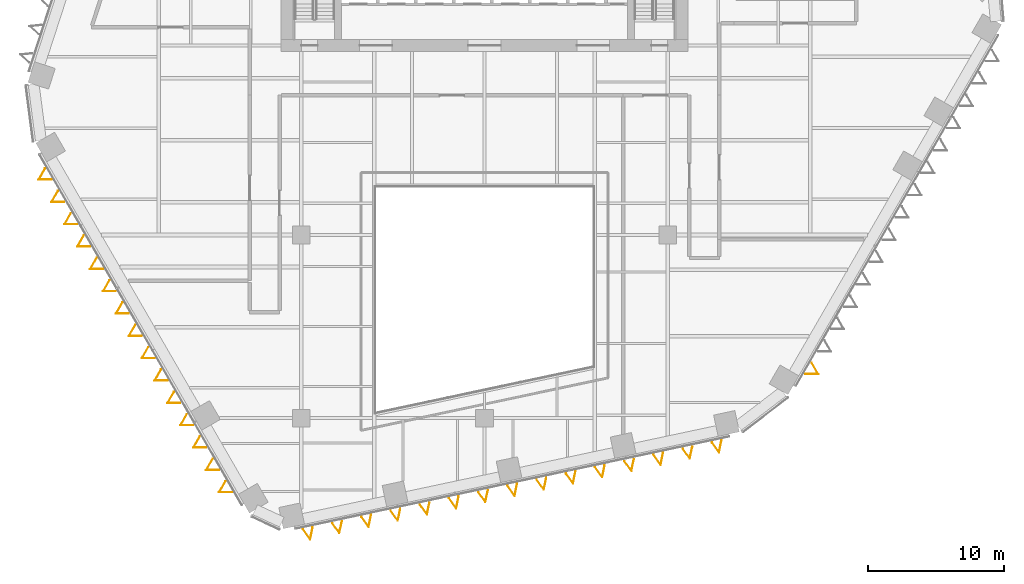
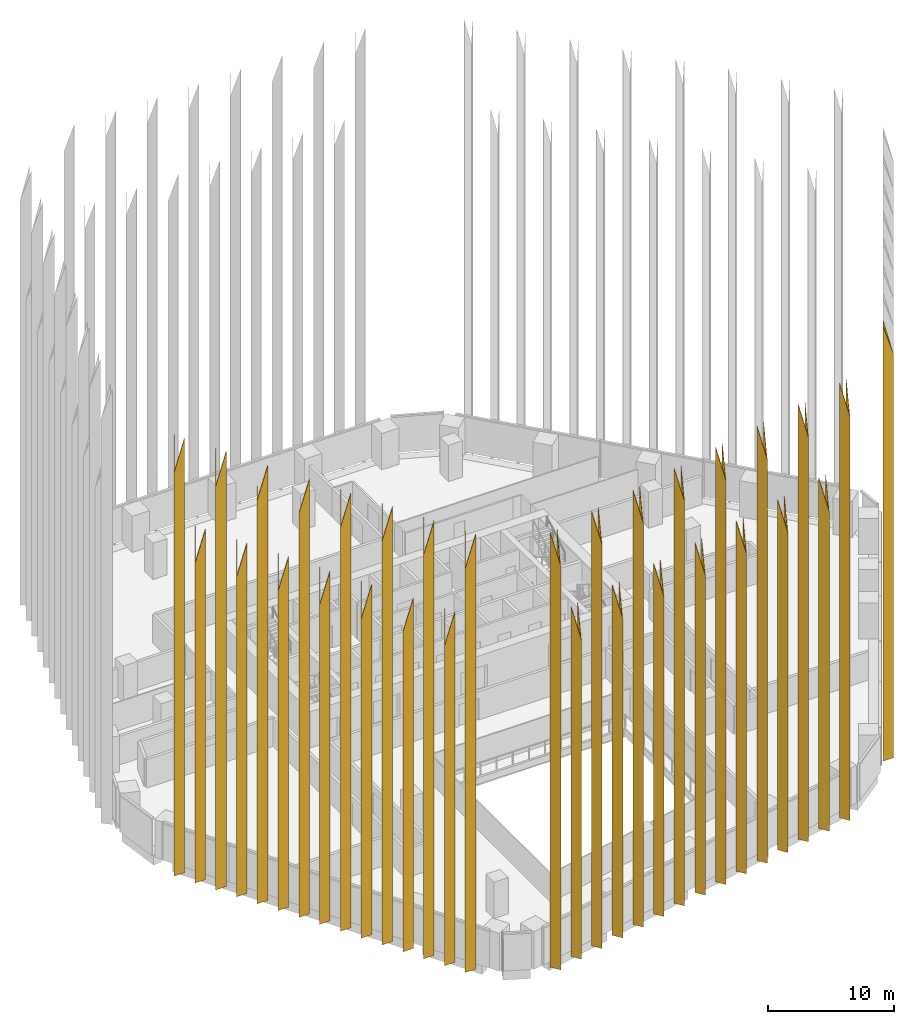
# One storey, part 21 of 24: 31 coverings.
"""IFC4 building model written with IfcOpenShell, lengths in metres."""

from ifc_helpers import new_model, si_unit, direction, frame, origin, place, context, subcontext, project, spatial, polyline, outline, faceted_brep, material, material_profile, profile_set, type_object, element, save


model = new_model("IFC4")

# Units and contexts
model_context = context("Model", 3, precision=1e-05, world=origin(), true_north=direction((0.0, 1.0)))
body_context = subcontext(model_context, "Body", "Model", "MODEL_VIEW")
ifc_project = project(units=[si_unit("LENGTHUNIT", "METRE"), si_unit("AREAUNIT", "SQUARE_METRE"), si_unit("VOLUMEUNIT", "CUBIC_METRE"), si_unit("PLANEANGLEUNIT", "RADIAN"), si_unit("MASSUNIT", "GRAM", prefix="KILO")], contexts=[model_context])

# Site, building, storey
site_placement = place(None, origin())
site = spatial("IfcSite", under=ifc_project, at=site_placement, CompositionType="ELEMENT")
building_placement = place(site_placement, origin())
building = spatial("IfcBuilding", under=site, at=building_placement, Name="Isthmus Gate Tower", CompositionType="ELEMENT")
storey_placement = place(building_placement, frame((0.0, 0.0, 80.64990234375)))
storey = spatial("IfcBuildingStorey", under=building, at=storey_placement, Name="L18", CompositionType="ELEMENT", Elevation=80.64990234375)

# Coverings
ifc_material_1 = material(Name="Structural steel ASTM A572 Gr 50, white paint system", Category="steel")
ifc_material_profile_1 = material_profile(ifc_material_1, outline(polyline([(0.0, -0.3740234375), (0.840087890625, 0.0), (0.0, 0.3740234375), (0.0, 0.341064453125), (0.766357421875, 0.0), (0.0, -0.341064453125), (0.0, -0.3740234375)])), Name="V840")
ifc_profile_set_1 = profile_set([ifc_material_profile_1], Name="Structural steel ASTM A572 Gr 50, white paint system")
covering_type_1 = type_object("IfcCoveringType", Name="FIN V 840 DEEP", PredefinedType="CLADDING", material=ifc_profile_set_1)
covering_1_placement = place(storey_placement, frame((0.0, 0.0, -80.64990234375)))
element("IfcCovering", 1, at=covering_1_placement, inside=storey, type_object=covering_type_1, Name="FIN", ObjectType="FIN", PredefinedType="CLADDING", context=body_context, shape_type="Brep", body=[
    faceted_brep([(-13.3466796875, -35.19482421875, 80.25), (-12.853515625, -35.873291015625, 80.25), (-12.67919921875, -35.052734375, 80.25), (-12.647216796875, -35.046142578125, 80.25), (-12.83837890625, -35.9453125, 80.25), (-13.378662109375, -35.201416015625, 80.25), (-13.378662109375, -35.201416015625, 122.25), (-12.83837890625, -35.9453125, 119.25), (-12.647216796875, -35.046142578125, 122.25), (-12.67919921875, -35.052734375, 122.25), (-12.853515625, -35.873291015625, 119.513427734375), (-13.3466796875, -35.19482421875, 122.25)], [[[0, 1, 2, 3, 4, 5]], [[6, 7, 8, 9, 10, 11]], [[5, 4, 7, 6]], [[4, 3, 8, 7]], [[3, 2, 9, 8]], [[2, 1, 10, 9]], [[1, 0, 11, 10]], [[0, 5, 6, 11]]]),
])
covering_2_placement = place(storey_placement, frame((0.0, 0.0, -80.64990234375)))
element("IfcCovering", 2, at=covering_2_placement, inside=storey, type_object=covering_type_1, Name="FIN", ObjectType="FIN", PredefinedType="CLADDING", context=body_context, shape_type="Brep", body=[
    faceted_brep([(-11.19482421875, -34.737548828125, 80.25), (-10.70166015625, -35.416015625, 80.25), (-10.52734375, -34.595458984375, 80.25), (-10.495361328125, -34.5888671875, 80.25), (-10.6865234375, -35.488037109375, 80.25), (-11.226806640625, -34.744140625, 80.25), (-11.226806640625, -34.744140625, 114.10009765625), (-10.6865234375, -35.488037109375, 111.10009765625), (-10.495361328125, -34.5888671875, 114.10009765625), (-10.52734375, -34.595458984375, 114.10009765625), (-10.70166015625, -35.416015625, 111.363525390625), (-11.19482421875, -34.737548828125, 114.10009765625)], [[[0, 1, 2, 3, 4, 5]], [[6, 7, 8, 9, 10, 11]], [[5, 4, 7, 6]], [[4, 3, 8, 7]], [[3, 2, 9, 8]], [[2, 1, 10, 9]], [[1, 0, 11, 10]], [[0, 5, 6, 11]]]),
])
covering_3_placement = place(storey_placement, frame((0.0, 0.0, -80.64990234375)))
element("IfcCovering", 3, at=covering_3_placement, inside=storey, type_object=covering_type_1, Name="FIN", ObjectType="FIN", PredefinedType="CLADDING", context=body_context, shape_type="Brep", body=[
    faceted_brep([(-9.04296875, -34.280029296875, 80.25), (-8.5498046875, -34.95849609375, 80.25), (-8.37548828125, -34.137939453125, 80.25), (-8.343505859375, -34.13134765625, 80.25), (-8.53466796875, -35.030517578125, 80.25), (-9.074951171875, -34.28662109375, 80.25), (-9.074951171875, -34.28662109375, 122.25), (-8.53466796875, -35.030517578125, 119.25), (-8.343505859375, -34.13134765625, 122.25), (-8.37548828125, -34.137939453125, 122.25), (-8.5498046875, -34.95849609375, 119.513427734375), (-9.04296875, -34.280029296875, 122.25)], [[[0, 1, 2, 3, 4, 5]], [[6, 7, 8, 9, 10, 11]], [[5, 4, 7, 6]], [[4, 3, 8, 7]], [[3, 2, 9, 8]], [[2, 1, 10, 9]], [[1, 0, 11, 10]], [[0, 5, 6, 11]]]),
])
covering_4_placement = place(storey_placement, frame((0.0, 0.0, -80.64990234375)))
element("IfcCovering", 4, at=covering_4_placement, inside=storey, type_object=covering_type_1, Name="FIN", ObjectType="FIN", PredefinedType="CLADDING", context=body_context, shape_type="Brep", body=[
    faceted_brep([(-6.890869140625, -33.82275390625, 80.25), (-6.397705078125, -34.501220703125, 80.25), (-6.223388671875, -33.6806640625, 80.25), (-6.19140625, -33.674072265625, 80.25), (-6.382568359375, -34.5732421875, 80.25), (-6.9228515625, -33.829345703125, 80.25), (-6.9228515625, -33.829345703125, 114.10009765625), (-6.382568359375, -34.5732421875, 111.10009765625), (-6.19140625, -33.674072265625, 114.10009765625), (-6.223388671875, -33.6806640625, 114.10009765625), (-6.397705078125, -34.501220703125, 111.363525390625), (-6.890869140625, -33.82275390625, 114.10009765625)], [[[0, 1, 2, 3, 4, 5]], [[6, 7, 8, 9, 10, 11]], [[5, 4, 7, 6]], [[4, 3, 8, 7]], [[3, 2, 9, 8]], [[2, 1, 10, 9]], [[1, 0, 11, 10]], [[0, 5, 6, 11]]]),
])
covering_5_placement = place(storey_placement, frame((0.0, 0.0, -80.64990234375)))
element("IfcCovering", 5, at=covering_5_placement, inside=storey, type_object=covering_type_1, Name="FIN", ObjectType="FIN", PredefinedType="CLADDING", context=body_context, shape_type="Brep", body=[
    faceted_brep([(-4.739013671875, -33.365234375, 80.25), (-4.245849609375, -34.043701171875, 80.25), (-4.071533203125, -33.22314453125, 80.25), (-4.03955078125, -33.216552734375, 80.25), (-4.230712890625, -34.11572265625, 80.25), (-4.77099609375, -33.371826171875, 80.25), (-4.77099609375, -33.371826171875, 122.25), (-4.230712890625, -34.11572265625, 119.25), (-4.03955078125, -33.216552734375, 122.25), (-4.071533203125, -33.22314453125, 122.25), (-4.245849609375, -34.043701171875, 119.513427734375), (-4.739013671875, -33.365234375, 122.25)], [[[0, 1, 2, 3, 4, 5]], [[6, 7, 8, 9, 10, 11]], [[5, 4, 7, 6]], [[4, 3, 8, 7]], [[3, 2, 9, 8]], [[2, 1, 10, 9]], [[1, 0, 11, 10]], [[0, 5, 6, 11]]]),
])
covering_6_placement = place(storey_placement, frame((0.0, 0.0, -80.64990234375)))
element("IfcCovering", 6, at=covering_6_placement, inside=storey, type_object=covering_type_1, Name="FIN", ObjectType="FIN", PredefinedType="CLADDING", context=body_context, shape_type="Brep", body=[
    faceted_brep([(-2.587158203125, -32.90771484375, 80.25), (-2.093994140625, -33.586181640625, 80.25), (-1.919677734375, -32.765625, 80.25), (-1.8876953125, -32.759033203125, 80.25), (-2.078857421875, -33.658203125, 80.25), (-2.619140625, -32.914306640625, 80.25), (-2.619140625, -32.914306640625, 114.10009765625), (-2.078857421875, -33.658203125, 111.10009765625), (-1.8876953125, -32.759033203125, 114.10009765625), (-1.919677734375, -32.765625, 114.10009765625), (-2.093994140625, -33.586181640625, 111.363525390625), (-2.587158203125, -32.90771484375, 114.10009765625)], [[[0, 1, 2, 3, 4, 5]], [[6, 7, 8, 9, 10, 11]], [[5, 4, 7, 6]], [[4, 3, 8, 7]], [[3, 2, 9, 8]], [[2, 1, 10, 9]], [[1, 0, 11, 10]], [[0, 5, 6, 11]]]),
])
covering_7_placement = place(storey_placement, frame((0.0, 0.0, -80.64990234375)))
element("IfcCovering", 7, at=covering_7_placement, inside=storey, type_object=covering_type_1, Name="FIN", ObjectType="FIN", PredefinedType="CLADDING", context=body_context, shape_type="Brep", body=[
    faceted_brep([(-0.43505859375, -32.450439453125, 80.25), (0.05810546875, -33.12890625, 80.25), (0.232421875, -32.308349609375, 80.25), (0.264404296875, -32.3017578125, 80.25), (0.0732421875, -33.200927734375, 80.25), (-0.467041015625, -32.45703125, 80.25), (-0.467041015625, -32.45703125, 122.25), (0.0732421875, -33.200927734375, 119.25), (0.264404296875, -32.3017578125, 122.25), (0.232421875, -32.308349609375, 122.25), (0.05810546875, -33.12890625, 119.513427734375), (-0.43505859375, -32.450439453125, 122.25)], [[[0, 1, 2, 3, 4, 5]], [[6, 7, 8, 9, 10, 11]], [[5, 4, 7, 6]], [[4, 3, 8, 7]], [[3, 2, 9, 8]], [[2, 1, 10, 9]], [[1, 0, 11, 10]], [[0, 5, 6, 11]]]),
])
covering_8_placement = place(storey_placement, frame((0.0, 0.0, -80.64990234375)))
element("IfcCovering", 8, at=covering_8_placement, inside=storey, type_object=covering_type_1, Name="FIN", ObjectType="FIN", PredefinedType="CLADDING", context=body_context, shape_type="Brep", body=[
    faceted_brep([(1.716796875, -31.992919921875, 80.25), (2.2099609375, -32.67138671875, 80.25), (2.38427734375, -31.850830078125, 80.25), (2.416259765625, -31.84423828125, 80.25), (2.22509765625, -32.743408203125, 80.25), (1.684814453125, -31.99951171875, 80.25), (1.684814453125, -31.99951171875, 114.10009765625), (2.22509765625, -32.743408203125, 111.10009765625), (2.416259765625, -31.84423828125, 114.10009765625), (2.38427734375, -31.850830078125, 114.10009765625), (2.2099609375, -32.67138671875, 111.363525390625), (1.716796875, -31.992919921875, 114.10009765625)], [[[0, 1, 2, 3, 4, 5]], [[6, 7, 8, 9, 10, 11]], [[5, 4, 7, 6]], [[4, 3, 8, 7]], [[3, 2, 9, 8]], [[2, 1, 10, 9]], [[1, 0, 11, 10]], [[0, 5, 6, 11]]]),
])
covering_9_placement = place(storey_placement, frame((0.0, 0.0, -80.64990234375)))
element("IfcCovering", 9, at=covering_9_placement, inside=storey, type_object=covering_type_1, Name="FIN", ObjectType="FIN", PredefinedType="CLADDING", context=body_context, shape_type="Brep", body=[
    faceted_brep([(3.86865234375, -31.53564453125, 80.25), (4.36181640625, -32.214111328125, 80.25), (4.5361328125, -31.3935546875, 80.25), (4.568115234375, -31.386962890625, 80.25), (4.376953125, -32.2861328125, 80.25), (3.836669921875, -31.542236328125, 80.25), (3.836669921875, -31.542236328125, 122.25), (4.376953125, -32.2861328125, 119.25), (4.568115234375, -31.386962890625, 122.25), (4.5361328125, -31.3935546875, 122.25), (4.36181640625, -32.214111328125, 119.513427734375), (3.86865234375, -31.53564453125, 122.25)], [[[0, 1, 2, 3, 4, 5]], [[6, 7, 8, 9, 10, 11]], [[5, 4, 7, 6]], [[4, 3, 8, 7]], [[3, 2, 9, 8]], [[2, 1, 10, 9]], [[1, 0, 11, 10]], [[0, 5, 6, 11]]]),
])
covering_10_placement = place(storey_placement, frame((0.0, 0.0, -80.64990234375)))
element("IfcCovering", 10, at=covering_10_placement, inside=storey, type_object=covering_type_1, Name="FIN", ObjectType="FIN", PredefinedType="CLADDING", context=body_context, shape_type="Brep", body=[
    faceted_brep([(6.0205078125, -31.078125, 80.25), (6.513671875, -31.756591796875, 80.25), (6.68798828125, -30.93603515625, 80.25), (6.719970703125, -30.929443359375, 80.25), (6.52880859375, -31.82861328125, 80.25), (5.988525390625, -31.084716796875, 80.25), (5.988525390625, -31.084716796875, 114.10009765625), (6.52880859375, -31.82861328125, 111.10009765625), (6.719970703125, -30.929443359375, 114.10009765625), (6.68798828125, -30.93603515625, 114.10009765625), (6.513671875, -31.756591796875, 111.363525390625), (6.0205078125, -31.078125, 114.10009765625)], [[[0, 1, 2, 3, 4, 5]], [[6, 7, 8, 9, 10, 11]], [[5, 4, 7, 6]], [[4, 3, 8, 7]], [[3, 2, 9, 8]], [[2, 1, 10, 9]], [[1, 0, 11, 10]], [[0, 5, 6, 11]]]),
])
covering_11_placement = place(storey_placement, frame((0.0, 0.0, -80.64990234375)))
element("IfcCovering", 11, at=covering_11_placement, inside=storey, type_object=covering_type_1, Name="FIN", ObjectType="FIN", PredefinedType="CLADDING", context=body_context, shape_type="Brep", body=[
    faceted_brep([(8.172607421875, -30.620849609375, 80.25), (8.665771484375, -31.29931640625, 80.25), (8.840087890625, -30.478759765625, 80.25), (8.8720703125, -30.47216796875, 80.25), (8.680908203125, -31.371337890625, 80.25), (8.140625, -30.62744140625, 80.25), (8.140625, -30.62744140625, 122.25), (8.680908203125, -31.371337890625, 119.25), (8.8720703125, -30.47216796875, 122.25), (8.840087890625, -30.478759765625, 122.25), (8.665771484375, -31.29931640625, 119.513427734375), (8.172607421875, -30.620849609375, 122.25)], [[[0, 1, 2, 3, 4, 5]], [[6, 7, 8, 9, 10, 11]], [[5, 4, 7, 6]], [[4, 3, 8, 7]], [[3, 2, 9, 8]], [[2, 1, 10, 9]], [[1, 0, 11, 10]], [[0, 5, 6, 11]]]),
])
covering_12_placement = place(storey_placement, frame((0.0, 0.0, -80.64990234375)))
element("IfcCovering", 12, at=covering_12_placement, inside=storey, type_object=covering_type_1, Name="FIN", ObjectType="FIN", PredefinedType="CLADDING", context=body_context, shape_type="Brep", body=[
    faceted_brep([(10.324462890625, -30.163330078125, 80.25), (10.817626953125, -30.841796875, 80.25), (10.991943359375, -30.021240234375, 80.25), (11.02392578125, -30.0146484375, 80.25), (10.832763671875, -30.913818359375, 80.25), (10.29248046875, -30.169921875, 80.25), (10.29248046875, -30.169921875, 114.10009765625), (10.832763671875, -30.913818359375, 111.10009765625), (11.02392578125, -30.0146484375, 114.10009765625), (10.991943359375, -30.021240234375, 114.10009765625), (10.817626953125, -30.841796875, 111.363525390625), (10.324462890625, -30.163330078125, 114.10009765625)], [[[0, 1, 2, 3, 4, 5]], [[6, 7, 8, 9, 10, 11]], [[5, 4, 7, 6]], [[4, 3, 8, 7]], [[3, 2, 9, 8]], [[2, 1, 10, 9]], [[1, 0, 11, 10]], [[0, 5, 6, 11]]]),
])
covering_13_placement = place(storey_placement, frame((0.0, 0.0, -80.64990234375)))
element("IfcCovering", 13, at=covering_13_placement, inside=storey, type_object=covering_type_1, Name="FIN", ObjectType="FIN", PredefinedType="CLADDING", context=body_context, shape_type="Brep", body=[
    faceted_brep([(12.476318359375, -29.7060546875, 80.25), (12.969482421875, -30.384521484375, 80.25), (13.143798828125, -29.56396484375, 80.25), (13.17578125, -29.557373046875, 80.25), (12.984619140625, -30.45654296875, 80.25), (12.4443359375, -29.712646484375, 80.25), (12.4443359375, -29.712646484375, 122.25), (12.984619140625, -30.45654296875, 119.25), (13.17578125, -29.557373046875, 122.25), (13.143798828125, -29.56396484375, 122.25), (12.969482421875, -30.384521484375, 119.513427734375), (12.476318359375, -29.7060546875, 122.25)], [[[0, 1, 2, 3, 4, 5]], [[6, 7, 8, 9, 10, 11]], [[5, 4, 7, 6]], [[4, 3, 8, 7]], [[3, 2, 9, 8]], [[2, 1, 10, 9]], [[1, 0, 11, 10]], [[0, 5, 6, 11]]]),
])
covering_14_placement = place(storey_placement, frame((0.0, 0.0, -80.64990234375)))
element("IfcCovering", 14, at=covering_14_placement, inside=storey, type_object=covering_type_1, Name="FIN", ObjectType="FIN", PredefinedType="CLADDING", context=body_context, shape_type="Brep", body=[
    faceted_brep([(14.62841796875, -29.24853515625, 80.25), (15.12158203125, -29.927001953125, 80.25), (15.2958984375, -29.1064453125, 80.25), (15.327880859375, -29.099853515625, 80.25), (15.13671875, -29.9990234375, 80.25), (14.596435546875, -29.255126953125, 80.25), (14.596435546875, -29.255126953125, 114.10009765625), (15.13671875, -29.9990234375, 111.10009765625), (15.327880859375, -29.099853515625, 114.10009765625), (15.2958984375, -29.1064453125, 114.10009765625), (15.12158203125, -29.927001953125, 111.363525390625), (14.62841796875, -29.24853515625, 114.10009765625)], [[[0, 1, 2, 3, 4, 5]], [[6, 7, 8, 9, 10, 11]], [[5, 4, 7, 6]], [[4, 3, 8, 7]], [[3, 2, 9, 8]], [[2, 1, 10, 9]], [[1, 0, 11, 10]], [[0, 5, 6, 11]]]),
])
covering_15_placement = place(storey_placement, frame((0.0, 0.0, -80.64990234375)))
element("IfcCovering", 15, at=covering_15_placement, inside=storey, type_object=covering_type_1, Name="FIN", ObjectType="FIN", PredefinedType="CLADDING", context=body_context, shape_type="Brep", body=[
    faceted_brep([(16.7802734375, -28.791259765625, 80.25), (17.2734375, -29.4697265625, 80.25), (17.44775390625, -28.649169921875, 80.25), (17.479736328125, -28.642578125, 80.25), (17.28857421875, -29.541748046875, 80.25), (16.748291015625, -28.7978515625, 80.25), (16.748291015625, -28.7978515625, 122.25), (17.28857421875, -29.541748046875, 119.25), (17.479736328125, -28.642578125, 122.25), (17.44775390625, -28.649169921875, 122.25), (17.2734375, -29.4697265625, 119.513427734375), (16.7802734375, -28.791259765625, 122.25)], [[[0, 1, 2, 3, 4, 5]], [[6, 7, 8, 9, 10, 11]], [[5, 4, 7, 6]], [[4, 3, 8, 7]], [[3, 2, 9, 8]], [[2, 1, 10, 9]], [[1, 0, 11, 10]], [[0, 5, 6, 11]]]),
])
ifc_material_2 = material(Name="Structural steel ASTM A572 Gr 50, white paint system", Category="steel")
ifc_material_profile_2 = material_profile(ifc_material_2, outline(polyline([(0.0, -0.48486328125), (0.840087890625, 0.0), (0.0, 0.48486328125), (0.0, 0.450439453125), (0.780029296875, 0.0), (0.0, -0.450439453125), (0.0, -0.48486328125)])), Name="V840W")
ifc_profile_set_2 = profile_set([ifc_material_profile_2], Name="Structural steel ASTM A572 Gr 50, white paint system")
covering_type_2 = type_object("IfcCoveringType", Name="FIN V 840 DEEP WIDE", PredefinedType="CLADDING", material=ifc_profile_set_2)
covering_16_placement = place(storey_placement, frame((0.0, 0.0, -80.64990234375)))
element("IfcCovering", 16, at=covering_16_placement, inside=storey, type_object=covering_type_2, Name="FIN", ObjectType="FIN", PredefinedType="CLADDING", context=body_context, shape_type="Brep", body=[
    faceted_brep([(-32.372314453125, -8.62939453125, 80.25), (-32.82275390625, -9.4091796875, 80.25), (-31.922119140625, -9.4091796875, 80.25), (-31.90478515625, -9.439208984375, 80.25), (-32.874755859375, -9.439208984375, 80.25), (-32.3896484375, -8.599365234375, 80.25), (-32.3896484375, -8.599365234375, 122.25), (-32.874755859375, -9.439208984375, 119.25), (-31.90478515625, -9.439208984375, 122.25), (-31.922119140625, -9.4091796875, 122.25), (-32.82275390625, -9.4091796875, 119.46435546875), (-32.372314453125, -8.62939453125, 122.25)], [[[0, 1, 2, 3, 4, 5]], [[6, 7, 8, 9, 10, 11]], [[5, 4, 7, 6]], [[4, 3, 8, 7]], [[3, 2, 9, 8]], [[2, 1, 10, 9]], [[1, 0, 11, 10]], [[0, 5, 6, 11]]]),
])
covering_17_placement = place(storey_placement, frame((0.0, 0.0, -80.64990234375)))
element("IfcCovering", 17, at=covering_17_placement, inside=storey, type_object=covering_type_2, Name="FIN", ObjectType="FIN", PredefinedType="CLADDING", context=body_context, shape_type="Brep", body=[
    faceted_brep([(-31.42236328125, -10.274658203125, 80.25), (-31.872802734375, -11.054443359375, 80.25), (-30.97216796875, -11.054443359375, 80.25), (-30.954833984375, -11.08447265625, 80.25), (-31.9248046875, -11.08447265625, 80.25), (-31.439697265625, -10.24462890625, 80.25), (-31.439697265625, -10.24462890625, 114.10009765625), (-31.9248046875, -11.08447265625, 111.10009765625), (-30.954833984375, -11.08447265625, 114.10009765625), (-30.97216796875, -11.054443359375, 114.10009765625), (-31.872802734375, -11.054443359375, 111.314208984375), (-31.42236328125, -10.274658203125, 114.10009765625)], [[[0, 1, 2, 3, 4, 5]], [[6, 7, 8, 9, 10, 11]], [[5, 4, 7, 6]], [[4, 3, 8, 7]], [[3, 2, 9, 8]], [[2, 1, 10, 9]], [[1, 0, 11, 10]], [[0, 5, 6, 11]]]),
])
covering_18_placement = place(storey_placement, frame((0.0, 0.0, -80.64990234375)))
element("IfcCovering", 18, at=covering_18_placement, inside=storey, type_object=covering_type_2, Name="FIN", ObjectType="FIN", PredefinedType="CLADDING", context=body_context, shape_type="Brep", body=[
    faceted_brep([(-30.472412109375, -11.920166015625, 80.25), (-30.9228515625, -12.699951171875, 80.25), (-30.022216796875, -12.699951171875, 80.25), (-30.0048828125, -12.72998046875, 80.25), (-30.974853515625, -12.72998046875, 80.25), (-30.48974609375, -11.89013671875, 80.25), (-30.48974609375, -11.89013671875, 122.25), (-30.974853515625, -12.72998046875, 119.25), (-30.0048828125, -12.72998046875, 122.25), (-30.022216796875, -12.699951171875, 122.25), (-30.9228515625, -12.699951171875, 119.46435546875), (-30.472412109375, -11.920166015625, 122.25)], [[[0, 1, 2, 3, 4, 5]], [[6, 7, 8, 9, 10, 11]], [[5, 4, 7, 6]], [[4, 3, 8, 7]], [[3, 2, 9, 8]], [[2, 1, 10, 9]], [[1, 0, 11, 10]], [[0, 5, 6, 11]]]),
])
covering_19_placement = place(storey_placement, frame((0.0, 0.0, -80.64990234375)))
element("IfcCovering", 19, at=covering_19_placement, inside=storey, type_object=covering_type_2, Name="FIN", ObjectType="FIN", PredefinedType="CLADDING", context=body_context, shape_type="Brep", body=[
    faceted_brep([(-29.5224609375, -13.565673828125, 80.25), (-29.972900390625, -14.345458984375, 80.25), (-29.072265625, -14.345458984375, 80.25), (-29.054931640625, -14.37548828125, 80.25), (-30.02490234375, -14.37548828125, 80.25), (-29.539794921875, -13.53564453125, 80.25), (-29.539794921875, -13.53564453125, 114.10009765625), (-30.02490234375, -14.37548828125, 111.10009765625), (-29.054931640625, -14.37548828125, 114.10009765625), (-29.072265625, -14.345458984375, 114.10009765625), (-29.972900390625, -14.345458984375, 111.314208984375), (-29.5224609375, -13.565673828125, 114.10009765625)], [[[0, 1, 2, 3, 4, 5]], [[6, 7, 8, 9, 10, 11]], [[5, 4, 7, 6]], [[4, 3, 8, 7]], [[3, 2, 9, 8]], [[2, 1, 10, 9]], [[1, 0, 11, 10]], [[0, 5, 6, 11]]]),
])
covering_20_placement = place(storey_placement, frame((0.0, 0.0, -80.64990234375)))
element("IfcCovering", 20, at=covering_20_placement, inside=storey, type_object=covering_type_2, Name="FIN", ObjectType="FIN", PredefinedType="CLADDING", context=body_context, shape_type="Brep", body=[
    faceted_brep([(-28.572509765625, -15.211181640625, 80.25), (-29.02294921875, -15.990966796875, 80.25), (-28.122314453125, -15.990966796875, 80.25), (-28.10498046875, -16.02099609375, 80.25), (-29.074951171875, -16.02099609375, 80.25), (-28.58984375, -15.18115234375, 80.25), (-28.58984375, -15.18115234375, 122.25), (-29.074951171875, -16.02099609375, 119.25), (-28.10498046875, -16.02099609375, 122.25), (-28.122314453125, -15.990966796875, 122.25), (-29.02294921875, -15.990966796875, 119.46435546875), (-28.572509765625, -15.211181640625, 122.25)], [[[0, 1, 2, 3, 4, 5]], [[6, 7, 8, 9, 10, 11]], [[5, 4, 7, 6]], [[4, 3, 8, 7]], [[3, 2, 9, 8]], [[2, 1, 10, 9]], [[1, 0, 11, 10]], [[0, 5, 6, 11]]]),
])
covering_21_placement = place(storey_placement, frame((0.0, 0.0, -80.64990234375)))
element("IfcCovering", 21, at=covering_21_placement, inside=storey, type_object=covering_type_2, Name="FIN", ObjectType="FIN", PredefinedType="CLADDING", context=body_context, shape_type="Brep", body=[
    faceted_brep([(-27.622314453125, -16.8564453125, 80.25), (-28.07275390625, -17.63623046875, 80.25), (-27.172119140625, -17.63623046875, 80.25), (-27.15478515625, -17.666259765625, 80.25), (-28.124755859375, -17.666259765625, 80.25), (-27.6396484375, -16.826416015625, 80.25), (-27.6396484375, -16.826416015625, 114.10009765625), (-28.124755859375, -17.666259765625, 111.10009765625), (-27.15478515625, -17.666259765625, 114.10009765625), (-27.172119140625, -17.63623046875, 114.10009765625), (-28.07275390625, -17.63623046875, 111.314208984375), (-27.622314453125, -16.8564453125, 114.10009765625)], [[[0, 1, 2, 3, 4, 5]], [[6, 7, 8, 9, 10, 11]], [[5, 4, 7, 6]], [[4, 3, 8, 7]], [[3, 2, 9, 8]], [[2, 1, 10, 9]], [[1, 0, 11, 10]], [[0, 5, 6, 11]]]),
])
covering_22_placement = place(storey_placement, frame((0.0, 0.0, -80.64990234375)))
element("IfcCovering", 22, at=covering_22_placement, inside=storey, type_object=covering_type_2, Name="FIN", ObjectType="FIN", PredefinedType="CLADDING", context=body_context, shape_type="Brep", body=[
    faceted_brep([(-26.67236328125, -18.501953125, 80.25), (-27.122802734375, -19.28173828125, 80.25), (-26.22216796875, -19.28173828125, 80.25), (-26.204833984375, -19.311767578125, 80.25), (-27.1748046875, -19.311767578125, 80.25), (-26.689697265625, -18.471923828125, 80.25), (-26.689697265625, -18.471923828125, 122.25), (-27.1748046875, -19.311767578125, 119.25), (-26.204833984375, -19.311767578125, 122.25), (-26.22216796875, -19.28173828125, 122.25), (-27.122802734375, -19.28173828125, 119.46435546875), (-26.67236328125, -18.501953125, 122.25)], [[[0, 1, 2, 3, 4, 5]], [[6, 7, 8, 9, 10, 11]], [[5, 4, 7, 6]], [[4, 3, 8, 7]], [[3, 2, 9, 8]], [[2, 1, 10, 9]], [[1, 0, 11, 10]], [[0, 5, 6, 11]]]),
])
covering_23_placement = place(storey_placement, frame((0.0, 0.0, -80.64990234375)))
element("IfcCovering", 23, at=covering_23_placement, inside=storey, type_object=covering_type_2, Name="FIN", ObjectType="FIN", PredefinedType="CLADDING", context=body_context, shape_type="Brep", body=[
    faceted_brep([(-25.722412109375, -20.1474609375, 80.25), (-26.1728515625, -20.92724609375, 80.25), (-25.272216796875, -20.92724609375, 80.25), (-25.2548828125, -20.957275390625, 80.25), (-26.224853515625, -20.957275390625, 80.25), (-25.73974609375, -20.117431640625, 80.25), (-25.73974609375, -20.117431640625, 114.10009765625), (-26.224853515625, -20.957275390625, 111.10009765625), (-25.2548828125, -20.957275390625, 114.10009765625), (-25.272216796875, -20.92724609375, 114.10009765625), (-26.1728515625, -20.92724609375, 111.314208984375), (-25.722412109375, -20.1474609375, 114.10009765625)], [[[0, 1, 2, 3, 4, 5]], [[6, 7, 8, 9, 10, 11]], [[5, 4, 7, 6]], [[4, 3, 8, 7]], [[3, 2, 9, 8]], [[2, 1, 10, 9]], [[1, 0, 11, 10]], [[0, 5, 6, 11]]]),
])
covering_24_placement = place(storey_placement, frame((0.0, 0.0, -80.64990234375)))
element("IfcCovering", 24, at=covering_24_placement, inside=storey, type_object=covering_type_2, Name="FIN", ObjectType="FIN", PredefinedType="CLADDING", context=body_context, shape_type="Brep", body=[
    faceted_brep([(-24.7724609375, -21.79296875, 80.25), (-25.222900390625, -22.57275390625, 80.25), (-24.322265625, -22.57275390625, 80.25), (-24.304931640625, -22.602783203125, 80.25), (-25.27490234375, -22.602783203125, 80.25), (-24.789794921875, -21.762939453125, 80.25), (-24.789794921875, -21.762939453125, 122.25), (-25.27490234375, -22.602783203125, 119.25), (-24.304931640625, -22.602783203125, 122.25), (-24.322265625, -22.57275390625, 122.25), (-25.222900390625, -22.57275390625, 119.46435546875), (-24.7724609375, -21.79296875, 122.25)], [[[0, 1, 2, 3, 4, 5]], [[6, 7, 8, 9, 10, 11]], [[5, 4, 7, 6]], [[4, 3, 8, 7]], [[3, 2, 9, 8]], [[2, 1, 10, 9]], [[1, 0, 11, 10]], [[0, 5, 6, 11]]]),
])
covering_25_placement = place(storey_placement, frame((0.0, 0.0, -80.64990234375)))
element("IfcCovering", 25, at=covering_25_placement, inside=storey, type_object=covering_type_2, Name="FIN", ObjectType="FIN", PredefinedType="CLADDING", context=body_context, shape_type="Brep", body=[
    faceted_brep([(-23.822509765625, -23.438232421875, 80.25), (-24.27294921875, -24.218017578125, 80.25), (-23.372314453125, -24.218017578125, 80.25), (-23.35498046875, -24.248046875, 80.25), (-24.324951171875, -24.248046875, 80.25), (-23.83984375, -23.408203125, 80.25), (-23.83984375, -23.408203125, 114.10009765625), (-24.324951171875, -24.248046875, 111.10009765625), (-23.35498046875, -24.248046875, 114.10009765625), (-23.372314453125, -24.218017578125, 114.10009765625), (-24.27294921875, -24.218017578125, 111.314208984375), (-23.822509765625, -23.438232421875, 114.10009765625)], [[[0, 1, 2, 3, 4, 5]], [[6, 7, 8, 9, 10, 11]], [[5, 4, 7, 6]], [[4, 3, 8, 7]], [[3, 2, 9, 8]], [[2, 1, 10, 9]], [[1, 0, 11, 10]], [[0, 5, 6, 11]]]),
])
covering_26_placement = place(storey_placement, frame((0.0, 0.0, -80.64990234375)))
element("IfcCovering", 26, at=covering_26_placement, inside=storey, type_object=covering_type_2, Name="FIN", ObjectType="FIN", PredefinedType="CLADDING", context=body_context, shape_type="Brep", body=[
    faceted_brep([(-22.872314453125, -25.083740234375, 80.25), (-23.32275390625, -25.863525390625, 80.25), (-22.422119140625, -25.863525390625, 80.25), (-22.40478515625, -25.8935546875, 80.25), (-23.374755859375, -25.8935546875, 80.25), (-22.8896484375, -25.0537109375, 80.25), (-22.8896484375, -25.0537109375, 122.25), (-23.374755859375, -25.8935546875, 119.25), (-22.40478515625, -25.8935546875, 122.25), (-22.422119140625, -25.863525390625, 122.25), (-23.32275390625, -25.863525390625, 119.46435546875), (-22.872314453125, -25.083740234375, 122.25)], [[[0, 1, 2, 3, 4, 5]], [[6, 7, 8, 9, 10, 11]], [[5, 4, 7, 6]], [[4, 3, 8, 7]], [[3, 2, 9, 8]], [[2, 1, 10, 9]], [[1, 0, 11, 10]], [[0, 5, 6, 11]]]),
])
covering_27_placement = place(storey_placement, frame((0.0, 0.0, -80.64990234375)))
element("IfcCovering", 27, at=covering_27_placement, inside=storey, type_object=covering_type_2, Name="FIN", ObjectType="FIN", PredefinedType="CLADDING", context=body_context, shape_type="Brep", body=[
    faceted_brep([(-21.92236328125, -26.729248046875, 80.25), (-22.372802734375, -27.509033203125, 80.25), (-21.47216796875, -27.509033203125, 80.25), (-21.454833984375, -27.5390625, 80.25), (-22.4248046875, -27.5390625, 80.25), (-21.939697265625, -26.69921875, 80.25), (-21.939697265625, -26.69921875, 114.10009765625), (-22.4248046875, -27.5390625, 111.10009765625), (-21.454833984375, -27.5390625, 114.10009765625), (-21.47216796875, -27.509033203125, 114.10009765625), (-22.372802734375, -27.509033203125, 111.314208984375), (-21.92236328125, -26.729248046875, 114.10009765625)], [[[0, 1, 2, 3, 4, 5]], [[6, 7, 8, 9, 10, 11]], [[5, 4, 7, 6]], [[4, 3, 8, 7]], [[3, 2, 9, 8]], [[2, 1, 10, 9]], [[1, 0, 11, 10]], [[0, 5, 6, 11]]]),
])
covering_28_placement = place(storey_placement, frame((0.0, 0.0, -80.64990234375)))
element("IfcCovering", 28, at=covering_28_placement, inside=storey, type_object=covering_type_2, Name="FIN", ObjectType="FIN", PredefinedType="CLADDING", context=body_context, shape_type="Brep", body=[
    faceted_brep([(-20.972412109375, -28.374755859375, 80.25), (-21.4228515625, -29.154541015625, 80.25), (-20.522216796875, -29.154541015625, 80.25), (-20.5048828125, -29.1845703125, 80.25), (-21.474853515625, -29.1845703125, 80.25), (-20.98974609375, -28.3447265625, 80.25), (-20.98974609375, -28.3447265625, 122.25), (-21.474853515625, -29.1845703125, 119.25), (-20.5048828125, -29.1845703125, 122.25), (-20.522216796875, -29.154541015625, 122.25), (-21.4228515625, -29.154541015625, 119.46435546875), (-20.972412109375, -28.374755859375, 122.25)], [[[0, 1, 2, 3, 4, 5]], [[6, 7, 8, 9, 10, 11]], [[5, 4, 7, 6]], [[4, 3, 8, 7]], [[3, 2, 9, 8]], [[2, 1, 10, 9]], [[1, 0, 11, 10]], [[0, 5, 6, 11]]]),
])
covering_29_placement = place(storey_placement, frame((0.0, 0.0, -80.64990234375)))
element("IfcCovering", 29, at=covering_29_placement, inside=storey, type_object=covering_type_2, Name="FIN", ObjectType="FIN", PredefinedType="CLADDING", context=body_context, shape_type="Brep", body=[
    faceted_brep([(-20.0224609375, -30.02001953125, 80.25), (-20.472900390625, -30.7998046875, 80.25), (-19.572265625, -30.7998046875, 80.25), (-19.554931640625, -30.829833984375, 80.25), (-20.52490234375, -30.829833984375, 80.25), (-20.039794921875, -29.989990234375, 80.25), (-20.039794921875, -29.989990234375, 114.10009765625), (-20.52490234375, -30.829833984375, 111.10009765625), (-19.554931640625, -30.829833984375, 114.10009765625), (-19.572265625, -30.7998046875, 114.10009765625), (-20.472900390625, -30.7998046875, 111.314208984375), (-20.0224609375, -30.02001953125, 114.10009765625)], [[[0, 1, 2, 3, 4, 5]], [[6, 7, 8, 9, 10, 11]], [[5, 4, 7, 6]], [[4, 3, 8, 7]], [[3, 2, 9, 8]], [[2, 1, 10, 9]], [[1, 0, 11, 10]], [[0, 5, 6, 11]]]),
])
covering_30_placement = place(storey_placement, frame((0.0, 0.0, -80.64990234375)))
element("IfcCovering", 30, at=covering_30_placement, inside=storey, type_object=covering_type_2, Name="FIN", ObjectType="FIN", PredefinedType="CLADDING", context=body_context, shape_type="Brep", body=[
    faceted_brep([(-19.072509765625, -31.66552734375, 80.25), (-19.52294921875, -32.4453125, 80.25), (-18.622314453125, -32.4453125, 80.25), (-18.60498046875, -32.475341796875, 80.25), (-19.574951171875, -32.475341796875, 80.25), (-19.08984375, -31.635498046875, 80.25), (-19.08984375, -31.635498046875, 122.25), (-19.574951171875, -32.475341796875, 119.25), (-18.60498046875, -32.475341796875, 122.25), (-18.622314453125, -32.4453125, 122.25), (-19.52294921875, -32.4453125, 119.46435546875), (-19.072509765625, -31.66552734375, 122.25)], [[[0, 1, 2, 3, 4, 5]], [[6, 7, 8, 9, 10, 11]], [[5, 4, 7, 6]], [[4, 3, 8, 7]], [[3, 2, 9, 8]], [[2, 1, 10, 9]], [[1, 0, 11, 10]], [[0, 5, 6, 11]]]),
])
covering_31_placement = place(storey_placement, frame((0.0, 0.0, -80.64990234375)))
element("IfcCovering", 31, at=covering_31_placement, inside=storey, type_object=covering_type_2, Name="FIN", ObjectType="FIN", PredefinedType="CLADDING", context=body_context, shape_type="Brep", body=[
    faceted_brep([(23.659423828125, -23.720703125, 80.25), (24.56005859375, -23.720703125, 80.25), (24.109619140625, -22.94091796875, 80.25), (24.126953125, -22.910888671875, 80.25), (24.612060546875, -23.750732421875, 80.25), (23.64208984375, -23.750732421875, 80.25), (23.64208984375, -23.750732421875, 122.25), (24.612060546875, -23.750732421875, 119.25), (24.126953125, -22.910888671875, 122.25), (24.109619140625, -22.94091796875, 122.25), (24.56005859375, -23.720703125, 119.46435546875), (23.659423828125, -23.720703125, 122.25)], [[[0, 1, 2, 3, 4, 5]], [[6, 7, 8, 9, 10, 11]], [[5, 4, 7, 6]], [[4, 3, 8, 7]], [[3, 2, 9, 8]], [[2, 1, 10, 9]], [[1, 0, 11, 10]], [[0, 5, 6, 11]]]),
])

save(model, "model.ifc")
